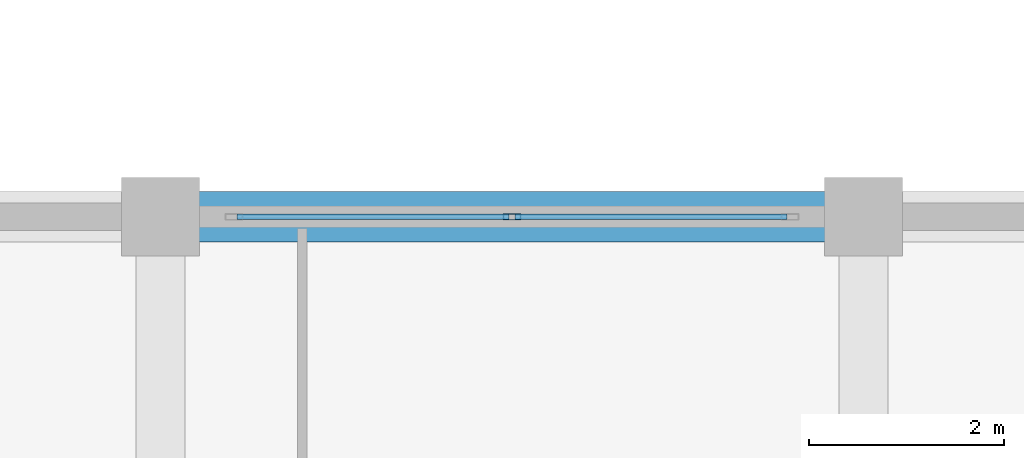
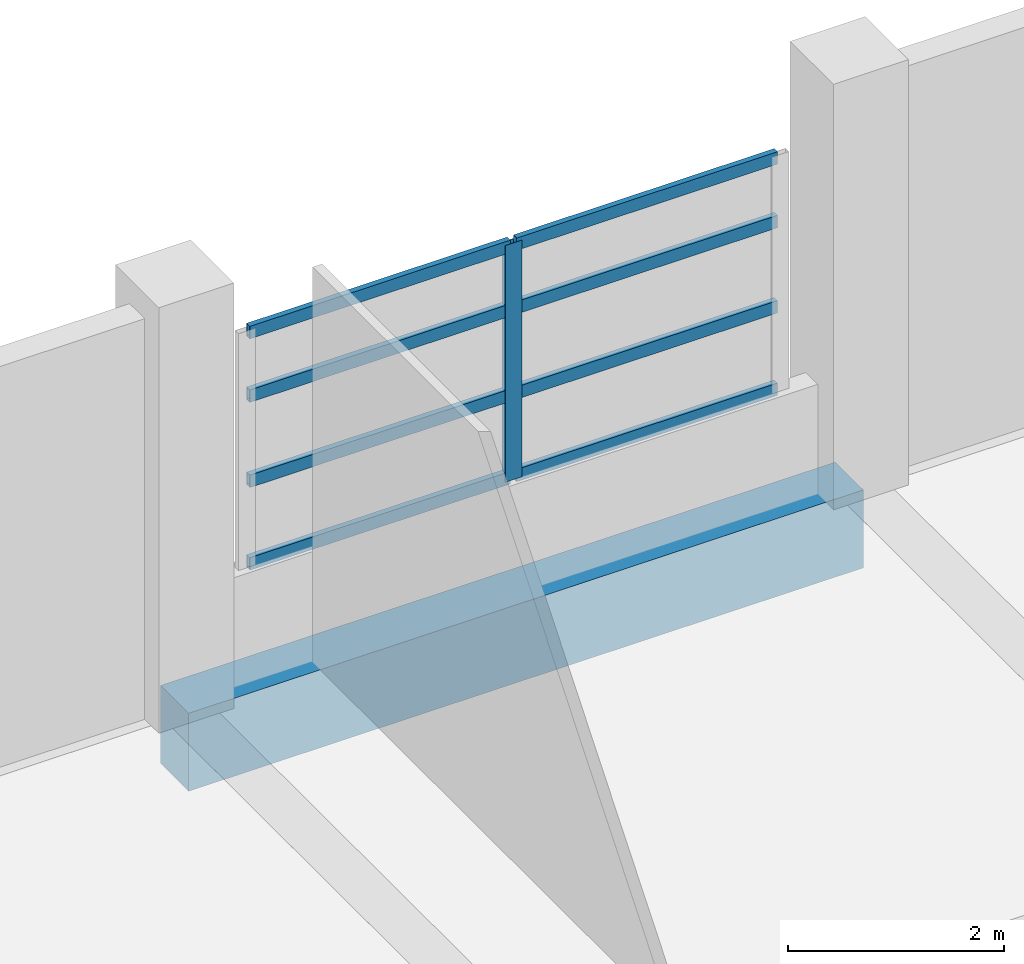
# One storey, part 15 of 140: 9 members, 1 beam, 1 element without a shape of its own.
"""IFC4 building model written with IfcOpenShell, lengths in metres."""

from ifc_helpers import new_model, si_unit, direction, frame, origin, origin_2d, place, context, subcontext, project, spatial, rectangle, hollow_rectangle, extrude, material, layer, layer_set, material_profile, profile_set, type_object, element, aggregate, save


model = new_model("IFC4")

# Units and contexts
model_context = context("Model", 3, precision=1e-05, world=origin(), true_north=direction((0.0, 1.0)))
body_context = subcontext(model_context, "Body", "Model", "MODEL_VIEW")
ifc_project = project(units=[si_unit("LENGTHUNIT", "METRE"), si_unit("AREAUNIT", "SQUARE_METRE"), si_unit("VOLUMEUNIT", "CUBIC_METRE"), si_unit("PLANEANGLEUNIT", "RADIAN"), si_unit("MASSUNIT", "GRAM", prefix="KILO")], contexts=[model_context])

# Site, building, storey
site_placement = place(None, origin())
site = spatial("IfcSite", under=ifc_project, at=site_placement, CompositionType="ELEMENT")
building_placement = place(site_placement, origin())
building = spatial("IfcBuilding", under=site, at=building_placement, Name="Seraya Terrace Polytechnic", CompositionType="ELEMENT")
storey_placement = place(building_placement, frame((0.0, 0.0, 9.60009765625)))
storey = spatial("IfcBuildingStorey", under=building, at=storey_placement, Name="L02", CompositionType="ELEMENT", Elevation=9.60009765625)

# Beam
ifc_material_1 = material(Name="Concrete C40/50", Category="concrete")
ifc_material_profile_1 = material_profile(ifc_material_1, rectangle(XDim=0.52001953125, YDim=0.8798828125, at=origin_2d()), Name="RC 520x880")
ifc_profile_set_1 = profile_set([ifc_material_profile_1], Name="Concrete C40/50")
beam_type = type_object("IfcBeamType", Name="BM-04", PredefinedType="BEAM", material=ifc_profile_set_1)
beam_placement = place(storey_placement, frame((57.60009765625, 28.800048828125, -0.440185546875), z_axis=(1.0, 0.0, 0.0), x_axis=(0.0, 1.0, 0.0)))
element("IfcBeam", 1, at=beam_placement, inside=storey, type_object=beam_type, Name="Beam BM-04 L02 X (57.6..64.8, 28.8)", PredefinedType="BEAM", context=body_context, shape_type="SweptSolid", body=[
    extrude(rectangle(XDim=0.52001953125, YDim=0.8798828125, at=origin_2d()), origin(), (0.0, 0.0, 1.0), 7.199951171875),
])

# Curtain wall, members
ifc_material_2 = material(Name="Anodised aluminium EN AW-6063 T6", Category="aluminium")
ifc_layer = layer(ifc_material_2, 0.179931640625, Name="CW-07")
ifc_layer_set = layer_set([ifc_layer], Name="Anodised aluminium EN AW-6063 T6")
curtain_wall_type = type_object("IfcCurtainWallType", Name="CW-07", PredefinedType="NOTDEFINED", material=ifc_layer_set)
curtain_wall_placement = place(storey_placement, origin())
curtain_wall = element("IfcCurtainWall", 2, at=curtain_wall_placement, inside=storey, type_object=curtain_wall_type, Name="Unitised curtain wall CW-07 (CW-L02-079)", PredefinedType="NOTDEFINED")
ifc_material_profile_2 = material_profile(ifc_material_2, hollow_rectangle(XDim=0.06494140625, YDim=0.179931640625, WallThickness=0.00390625, at=origin_2d()), Name="RHS 180x65x4.0")
ifc_profile_set_2 = profile_set([ifc_material_profile_2], Name="Anodised aluminium EN AW-6063 T6")
member_type_1 = type_object("IfcMemberType", Name="CWM-01", PredefinedType="MULLION", material=ifc_profile_set_2)
member_1_placement = place(storey_placement, frame((61.199951171875, 28.800048828125, 1.239990234375), z_axis=(0.0, 0.0, 1.0), x_axis=(0.0, 1.0, 0.0)))
member_1 = element("IfcMember", 3, at=member_1_placement, type_object=member_type_1, Name="CW-07 mullion 2", PredefinedType="MULLION", context=body_context, shape_type="SweptSolid", body=[
    extrude(hollow_rectangle(XDim=0.06494140625, YDim=0.179931640625, WallThickness=0.00390625, at=origin_2d()), origin(), (0.0, 0.0, 1.0), 2.669921875),
])
ifc_material_profile_3 = material_profile(ifc_material_2, hollow_rectangle(XDim=0.06005859375, YDim=0.139892578125, WallThickness=0.00341796875, at=origin_2d()), Name="RHS 140x60x3.5")
ifc_profile_set_3 = profile_set([ifc_material_profile_3], Name="Anodised aluminium EN AW-6063 T6")
member_type_2 = type_object("IfcMemberType", Name="CWT-01", PredefinedType="USERDEFINED", material=ifc_profile_set_3)
member_2_placement = place(storey_placement, frame((58.385009765625, 28.800048828125, 1.27001953125), z_axis=(1.0, 0.0, 0.0), x_axis=(0.0, 1.0, 0.0)))
member_2 = element("IfcMember", 4, at=member_2_placement, type_object=member_type_2, Name="CW-07 transom 1.1", ObjectType="TRANSOM", PredefinedType="USERDEFINED", context=body_context, shape_type="SweptSolid", body=[
    extrude(hollow_rectangle(XDim=0.06005859375, YDim=0.139892578125, WallThickness=0.00341796875, at=origin_2d()), origin(), (0.0, 0.0, 1.0), 2.782470703125),
])
member_3_placement = place(storey_placement, frame((58.385009765625, 28.800048828125, 2.201171875), z_axis=(1.0, 0.0, 0.0), x_axis=(0.0, 1.0, 0.0)))
member_3 = element("IfcMember", 5, at=member_3_placement, type_object=member_type_2, Name="CW-07 transom 1.2", ObjectType="TRANSOM", PredefinedType="USERDEFINED", context=body_context, shape_type="SweptSolid", body=[
    extrude(hollow_rectangle(XDim=0.06005859375, YDim=0.139892578125, WallThickness=0.00341796875, at=origin_2d()), origin(), (0.0, 0.0, 1.0), 2.782470703125),
])
member_4_placement = place(storey_placement, frame((58.385009765625, 28.800048828125, 3.162353515625), z_axis=(1.0, 0.0, 0.0), x_axis=(0.0, 1.0, 0.0)))
member_4 = element("IfcMember", 6, at=member_4_placement, type_object=member_type_2, Name="CW-07 transom 1.3", ObjectType="TRANSOM", PredefinedType="USERDEFINED", context=body_context, shape_type="SweptSolid", body=[
    extrude(hollow_rectangle(XDim=0.06005859375, YDim=0.139892578125, WallThickness=0.00341796875, at=origin_2d()), origin(), (0.0, 0.0, 1.0), 2.782470703125),
])
member_5_placement = place(storey_placement, frame((58.385009765625, 28.800048828125, 3.8798828125), z_axis=(1.0, 0.0, 0.0), x_axis=(0.0, 1.0, 0.0)))
member_5 = element("IfcMember", 7, at=member_5_placement, type_object=member_type_2, Name="CW-07 transom 1.4", ObjectType="TRANSOM", PredefinedType="USERDEFINED", context=body_context, shape_type="SweptSolid", body=[
    extrude(hollow_rectangle(XDim=0.06005859375, YDim=0.139892578125, WallThickness=0.00341796875, at=origin_2d()), origin(), (0.0, 0.0, 1.0), 2.782470703125),
])
member_6_placement = place(storey_placement, frame((61.232421875, 28.800048828125, 1.27001953125), z_axis=(1.0, 0.0, 0.0), x_axis=(0.0, 1.0, 0.0)))
member_6 = element("IfcMember", 8, at=member_6_placement, type_object=member_type_2, Name="CW-07 transom 2.1", ObjectType="TRANSOM", PredefinedType="USERDEFINED", context=body_context, shape_type="SweptSolid", body=[
    extrude(hollow_rectangle(XDim=0.06005859375, YDim=0.139892578125, WallThickness=0.00341796875, at=origin_2d()), origin(), (0.0, 0.0, 1.0), 2.782470703125),
])
member_7_placement = place(storey_placement, frame((61.232421875, 28.800048828125, 2.201171875), z_axis=(1.0, 0.0, 0.0), x_axis=(0.0, 1.0, 0.0)))
member_7 = element("IfcMember", 9, at=member_7_placement, type_object=member_type_2, Name="CW-07 transom 2.2", ObjectType="TRANSOM", PredefinedType="USERDEFINED", context=body_context, shape_type="SweptSolid", body=[
    extrude(hollow_rectangle(XDim=0.06005859375, YDim=0.139892578125, WallThickness=0.00341796875, at=origin_2d()), origin(), (0.0, 0.0, 1.0), 2.782470703125),
])
member_8_placement = place(storey_placement, frame((61.232421875, 28.800048828125, 3.162353515625), z_axis=(1.0, 0.0, 0.0), x_axis=(0.0, 1.0, 0.0)))
member_8 = element("IfcMember", 10, at=member_8_placement, type_object=member_type_2, Name="CW-07 transom 2.3", ObjectType="TRANSOM", PredefinedType="USERDEFINED", context=body_context, shape_type="SweptSolid", body=[
    extrude(hollow_rectangle(XDim=0.06005859375, YDim=0.139892578125, WallThickness=0.00341796875, at=origin_2d()), origin(), (0.0, 0.0, 1.0), 2.782470703125),
])
member_9_placement = place(storey_placement, frame((61.232421875, 28.800048828125, 3.8798828125), z_axis=(1.0, 0.0, 0.0), x_axis=(0.0, 1.0, 0.0)))
member_9 = element("IfcMember", 11, at=member_9_placement, type_object=member_type_2, Name="CW-07 transom 2.4", ObjectType="TRANSOM", PredefinedType="USERDEFINED", context=body_context, shape_type="SweptSolid", body=[
    extrude(hollow_rectangle(XDim=0.06005859375, YDim=0.139892578125, WallThickness=0.00341796875, at=origin_2d()), origin(), (0.0, 0.0, 1.0), 2.782470703125),
])
aggregate(curtain_wall, [member_1, member_2, member_3, member_4, member_5, member_6, member_7, member_8, member_9])

save(model, "model.ifc")
